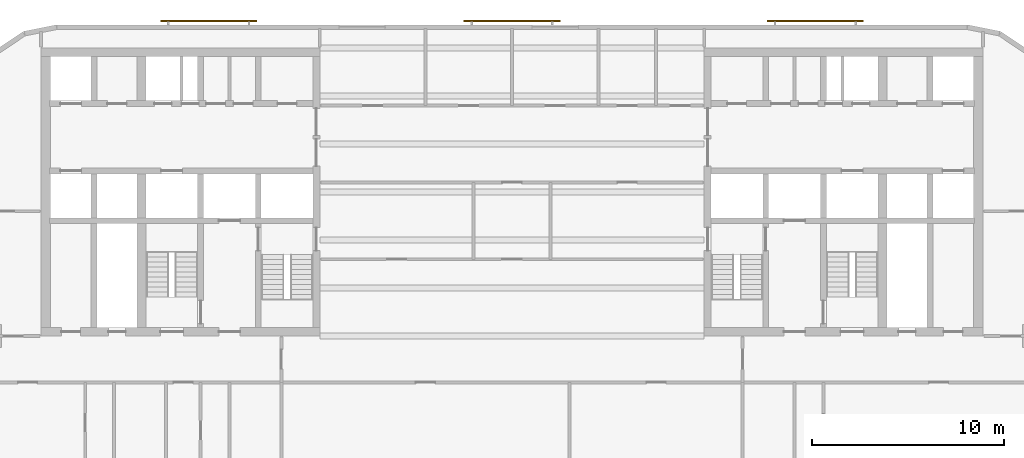
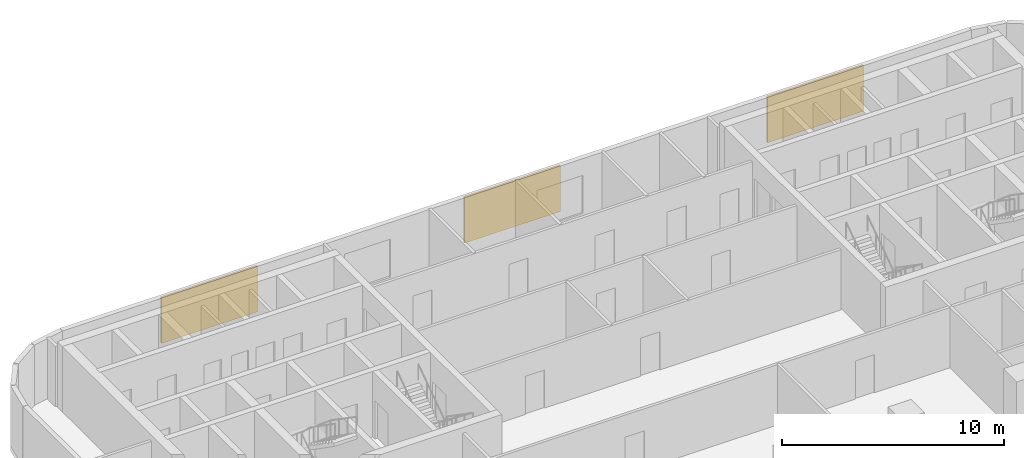
# One storey, part 10 of 11: 3 shading devices.
"""IFC4 building model written with IfcOpenShell, lengths in metres."""

from ifc_helpers import new_model, si_unit, direction, frame, origin, origin_2d, place, context, subcontext, project, spatial, rectangle, extrude, material, layer, layer_set, type_object, element, save


model = new_model("IFC4")

# Units and contexts
model_context = context("Model", 3, precision=1e-05, world=origin(), true_north=direction((0.0, 1.0)))
body_context = subcontext(model_context, "Body", "Model", "MODEL_VIEW")
ifc_project = project(units=[si_unit("LENGTHUNIT", "METRE"), si_unit("AREAUNIT", "SQUARE_METRE"), si_unit("VOLUMEUNIT", "CUBIC_METRE"), si_unit("PLANEANGLEUNIT", "RADIAN"), si_unit("MASSUNIT", "GRAM", prefix="KILO")], contexts=[model_context])

# Site, building, storey
site_placement = place(None, origin())
site = spatial("IfcSite", under=ifc_project, at=site_placement, CompositionType="ELEMENT")
building_placement = place(site_placement, origin())
building = spatial("IfcBuilding", under=site, at=building_placement, Name="Torana Hotel and Residences", CompositionType="ELEMENT")
storey_placement = place(building_placement, frame((0.0, 0.0, 166.800048828125)))
storey = spatial("IfcBuildingStorey", under=building, at=storey_placement, Name="L43", CompositionType="ELEMENT", Elevation=166.800048828125)

# Shading devices
ifc_material = material(Name="Concrete C40/50 precast", Category="concrete")
ifc_layer = layer(ifc_material, 0.10009765625)
ifc_layer_set = layer_set([ifc_layer], Name="SC1 PERFORATED BLOCK SCREEN PANEL 100")
shading_device_type = type_object("IfcShadingDeviceType", Name="SC1 PERFORATED BLOCK SCREEN PANEL 100", PredefinedType="USERDEFINED", material=ifc_layer_set)
for number, where, z_axis, x_axis, name in (
    (1, (15.78369140625, 1.39990234375, 0.5), (0.0, 0.0, 1.0), (-1.0, 0.0, 0.0), "Perforated block screen L43"),
    (2, (0.0, 1.39990234375, 0.5), (0.0, 0.0, 1.0), (-1.0, 0.0, 0.0), "Perforated block screen L43"),
    (3, (-15.78369140625, 1.39990234375, 0.5), (0.0, 0.0, 1.0), (-1.0, 0.0, 0.0), "Perforated block screen L43"),
):
    element("IfcShadingDevice", number, at=place(storey_placement, frame(where, z_axis=z_axis, x_axis=x_axis)), inside=storey, type_object=shading_device_type, Name=name, ObjectType="SCREEN", PredefinedType="USERDEFINED", context=body_context, shape_type="SweptSolid", body=[
        extrude(rectangle(XDim=5.0, YDim=0.10009765625, at=origin_2d()), origin(), (0.0, 0.0, 1.0), 2.52001953125),
    ])

save(model, "model.ifc")
